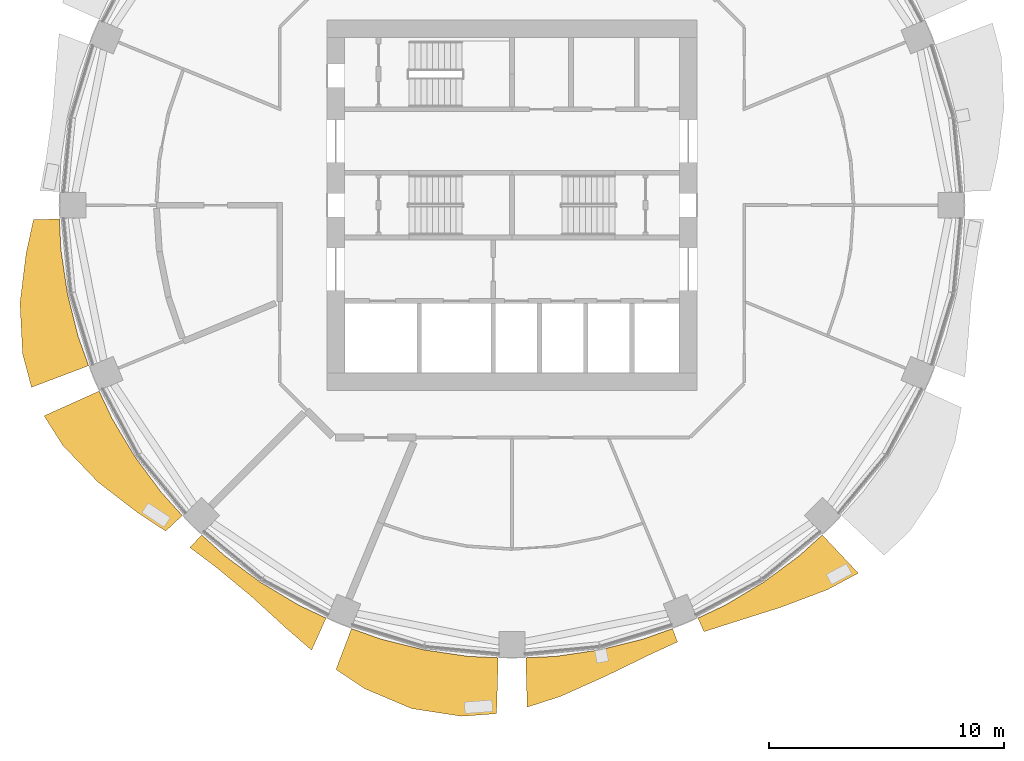
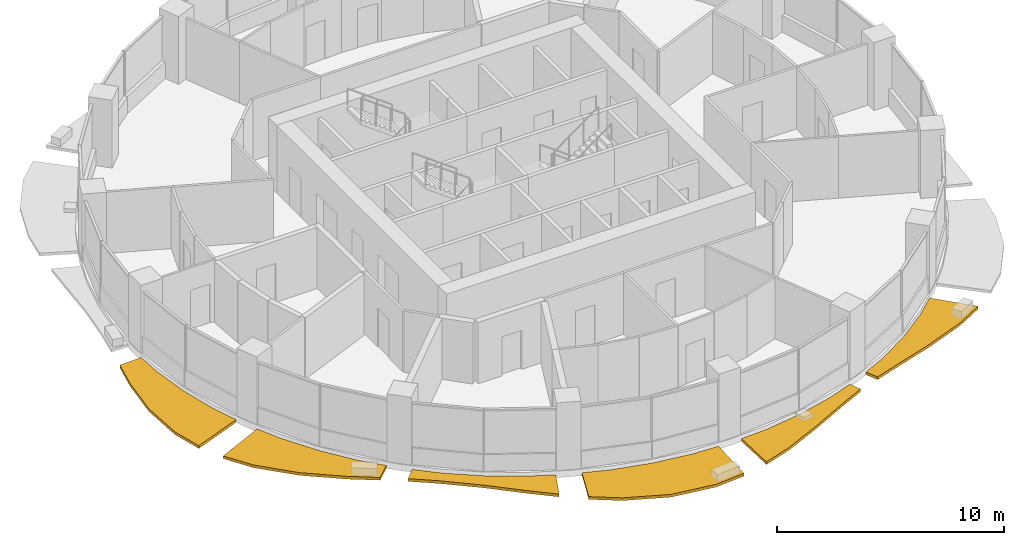
# One storey, part 11 of 14: 6 shading devices.
"""IFC4 building model written with IfcOpenShell, lengths in metres."""

from ifc_helpers import new_model, si_unit, direction, frame, origin, place, context, subcontext, project, spatial, polyline, outline, extrude, material, type_object, element, save


model = new_model("IFC4")

# Units and contexts
model_context = context("Model", 3, precision=1e-05, world=origin(), true_north=direction((0.0, 1.0)))
body_context = subcontext(model_context, "Body", "Model", "MODEL_VIEW")
ifc_project = project(units=[si_unit("LENGTHUNIT", "METRE"), si_unit("AREAUNIT", "SQUARE_METRE"), si_unit("VOLUMEUNIT", "CUBIC_METRE"), si_unit("PLANEANGLEUNIT", "RADIAN"), si_unit("MASSUNIT", "GRAM", prefix="KILO")], contexts=[model_context])

# Site, building, storey
site_placement = place(None, origin())
site = spatial("IfcSite", under=ifc_project, at=site_placement, CompositionType="ELEMENT")
building_placement = place(site_placement, origin())
building = spatial("IfcBuilding", under=site, at=building_placement, Name="Polderwave Tower", CompositionType="ELEMENT")
storey_placement = place(building_placement, frame((0.0, 0.0, 94.64990234375)))
storey = spatial("IfcBuildingStorey", under=building, at=storey_placement, Name="L24", CompositionType="ELEMENT", Elevation=94.64990234375)

# Shading devices
ifc_material = material(Name="Terracotta", Category="masonry")
shading_device_type = type_object("IfcShadingDeviceType", Name="Terracotta sunshade band", PredefinedType="USERDEFINED", material=ifc_material)
shading_device_1_placement = place(storey_placement, frame((0.0, 0.0, -0.349853515625)))
element("IfcShadingDevice", 1, at=shading_device_1_placement, inside=storey, type_object=shading_device_type, Name="Sunshade band L24 9", ObjectType="SUNSHADE", PredefinedType="USERDEFINED", context=body_context, shape_type="SweptSolid", body=[
    extrude(outline(polyline([(-19.2412109375, -0.583984375), (-19.17724609375, -1.888916015625), (-18.899658203125, -3.759521484375), (-18.440185546875, -5.59375), (-18.000244140625, -6.82373046875), (-20.426513671875, -7.74365234375), (-20.806884765625, -6.311767578125), (-20.91552734375, -4.160400390625), (-20.654052734375, -2.0341796875), (-20.341064453125, -0.617431640625), (-19.2412109375, -0.583984375)])), origin(), (0.0, 0.0, 1.0), 0.14990234375),
])
shading_device_2_placement = place(storey_placement, frame((0.0, 0.0, -0.349853515625)))
element("IfcShadingDevice", 2, at=shading_device_2_placement, inside=storey, type_object=shading_device_type, Name="Sunshade band L24 10", ObjectType="SUNSHADE", PredefinedType="USERDEFINED", context=body_context, shape_type="SweptSolid", body=[
    extrude(outline(polyline([(-17.552978515625, -7.90283203125), (-16.99462890625, -9.083740234375), (-16.0224609375, -10.705810546875), (-14.89599609375, -12.224853515625), (-14.0185546875, -13.192626953125), (-14.723876953125, -13.8564453125), (-15.921630859375, -13.066650390625), (-17.6083984375, -11.765625), (-19.097412109375, -10.207763671875), (-19.892822265625, -8.956298828125), (-17.552978515625, -7.90283203125)])), origin(), (0.0, 0.0, 1.0), 0.14990234375),
])
shading_device_3_placement = place(storey_placement, frame((0.0, 0.0, -0.349853515625)))
element("IfcShadingDevice", 3, at=shading_device_3_placement, inside=storey, type_object=shading_device_type, Name="Sunshade band L24 11", ObjectType="SUNSHADE", PredefinedType="USERDEFINED", context=body_context, shape_type="SweptSolid", body=[
    extrude(outline(polyline([(-13.192626953125, -14.0185546875), (-12.224853515625, -14.89599609375), (-10.705810546875, -16.0224609375), (-9.083740234375, -16.99462890625), (-7.90283203125, -17.552978515625), (-8.51806640625, -18.919189453125), (-9.6083984375, -17.97607421875), (-11.10009765625, -16.612548828125), (-12.609619140625, -15.364990234375), (-13.695556640625, -14.552978515625), (-13.192626953125, -14.0185546875)])), origin(), (0.0, 0.0, 1.0), 0.14990234375),
])
shading_device_4_placement = place(storey_placement, frame((0.0, 0.0, -0.349853515625)))
element("IfcShadingDevice", 4, at=shading_device_4_placement, inside=storey, type_object=shading_device_type, Name="Sunshade band L24 12", ObjectType="SUNSHADE", PredefinedType="USERDEFINED", context=body_context, shape_type="SweptSolid", body=[
    extrude(outline(polyline([(-6.82373046875, -18.000244140625), (-5.59375, -18.440185546875), (-3.759521484375, -18.899658203125), (-1.888916015625, -19.17724609375), (-0.583984375, -19.2412109375), (-0.656005859375, -21.615478515625), (-2.139892578125, -21.726806640625), (-4.257080078125, -21.40234375), (-6.23828125, -20.56494140625), (-7.48291015625, -19.738525390625), (-6.82373046875, -18.000244140625)])), origin(), (0.0, 0.0, 1.0), 0.14990234375),
])
shading_device_5_placement = place(storey_placement, frame((0.0, 0.0, -0.349853515625)))
element("IfcShadingDevice", 5, at=shading_device_5_placement, inside=storey, type_object=shading_device_type, Name="Sunshade band L24 13", ObjectType="SUNSHADE", PredefinedType="USERDEFINED", context=body_context, shape_type="SweptSolid", body=[
    extrude(outline(polyline([(0.583984375, -19.2412109375), (1.888916015625, -19.17724609375), (3.759521484375, -18.899658203125), (5.59375, -18.440185546875), (6.82373046875, -18.000244140625), (7.038330078125, -18.56591796875), (5.8046875, -19.1357421875), (3.982666015625, -20.022216796875), (2.056884765625, -20.885009765625), (0.647705078125, -21.340087890625), (0.583984375, -19.2412109375)])), origin(), (0.0, 0.0, 1.0), 0.14990234375),
])
shading_device_6_placement = place(storey_placement, frame((0.0, 0.0, -0.349853515625)))
element("IfcShadingDevice", 6, at=shading_device_6_placement, inside=storey, type_object=shading_device_type, Name="Sunshade band L24 14", ObjectType="SUNSHADE", PredefinedType="USERDEFINED", context=body_context, shape_type="SweptSolid", body=[
    extrude(outline(polyline([(7.90283203125, -17.552978515625), (9.083740234375, -16.99462890625), (10.705810546875, -16.0224609375), (12.224853515625, -14.89599609375), (13.192626953125, -14.0185546875), (14.721923828125, -15.643798828125), (13.4130859375, -16.34375), (11.423828125, -17.09716796875), (9.46826171875, -17.714111328125), (8.163330078125, -18.13134765625), (7.90283203125, -17.552978515625)])), origin(), (0.0, 0.0, 1.0), 0.14990234375),
])

save(model, "model.ifc")
